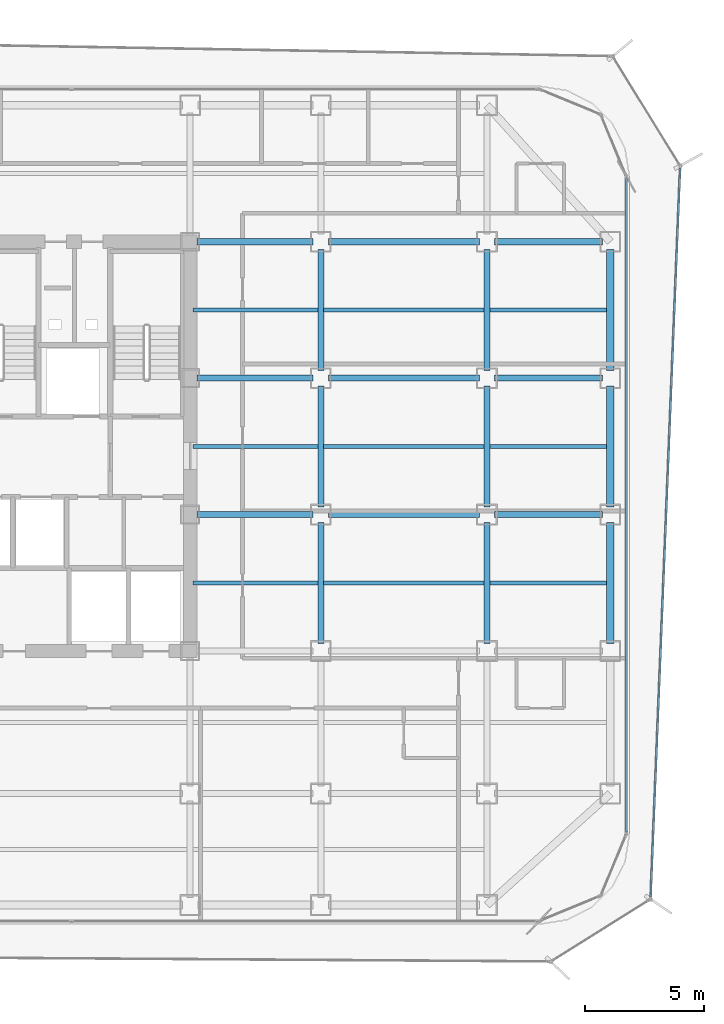
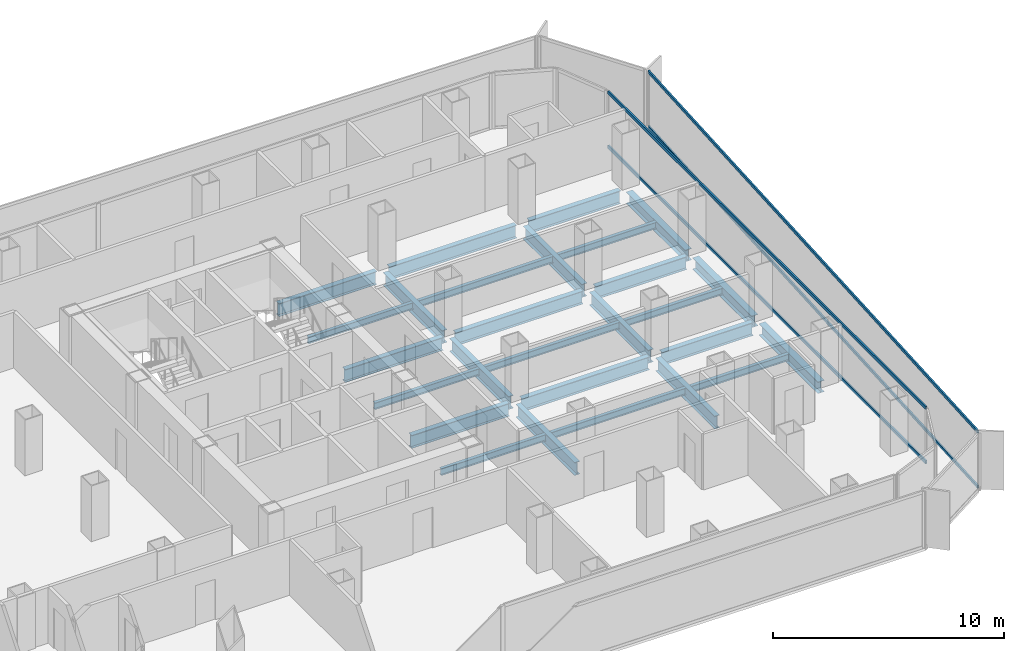
# One storey, part 9 of 21: 27 beams, 4 members, 2 elements without a shape of their own.
"""IFC4 building model written with IfcOpenShell, lengths in metres."""

from ifc_helpers import new_model, si_unit, direction, frame, origin, origin_2d, place, context, subcontext, project, spatial, hollow_rectangle, i_section, extrude, source, transform, mapped, material, layer, layer_set, material_profile, profile_set, type_object, element, aggregate, save


model = new_model("IFC4")

# Units and contexts
model_context = context("Model", 3, precision=1e-05, world=origin(), true_north=direction((0.0, 1.0)))
body_context = subcontext(model_context, "Body", "Model", "MODEL_VIEW")
ifc_project = project(units=[si_unit("LENGTHUNIT", "METRE"), si_unit("AREAUNIT", "SQUARE_METRE"), si_unit("VOLUMEUNIT", "CUBIC_METRE"), si_unit("PLANEANGLEUNIT", "RADIAN"), si_unit("MASSUNIT", "GRAM", prefix="KILO")], contexts=[model_context])

# Site, building, storey
site_placement = place(None, origin())
site = spatial("IfcSite", under=ifc_project, at=site_placement, CompositionType="ELEMENT")
building_placement = place(site_placement, origin())
building = spatial("IfcBuilding", under=site, at=building_placement, Name="Kolveth Station Tower", CompositionType="ELEMENT")
storey_placement = place(building_placement, frame((0.0, 0.0, 121.5)))
storey = spatial("IfcBuildingStorey", under=building, at=storey_placement, Name="L33", CompositionType="ELEMENT", Elevation=121.5)

# Beams
ifc_material_1 = material(Name="Steel S355", Category="steel")
ifc_material_profile_1 = material_profile(ifc_material_1, i_section(OverallWidth=0.323974609375, OverallDepth=0.611083984375, WebThickness=0.0126953125, FlangeThickness=0.01904296875, at=origin_2d()), Name="W610x155")
ifc_profile_set_1 = profile_set([ifc_material_profile_1], Name="Steel S355")
beam_type_1 = type_object("IfcBeamType", Name="Beam_SP2", PredefinedType="SPANDREL", material=ifc_profile_set_1)
shared_shape_1 = source(origin(), body_context, "Body", "SweptSolid", [
    extrude(i_section(OverallWidth=0.323974609375, OverallDepth=0.611083984375, WebThickness=0.0126953125, FlangeThickness=0.01904296875, at=origin_2d()), origin(), (0.0, 0.0, 1.0), 5.10986328125),
])
for number, where, z_axis, x_axis, name in (
    (1, (46.199951171875, 11.820068359375, -0.555419921875), (0.0, 1.0, 0.0), (-1.0, 0.0, 0.0), "L33 Perimeter Spandrel BM-L33-PE-2"),
    (2, (46.199951171875, 17.570068359375, -0.555419921875), (0.0, 1.0, 0.0), (-1.0, 0.0, 0.0), "L33 Perimeter Spandrel BM-L33-PE-3"),
    (3, (46.199951171875, 23.320068359375, -0.555419921875), (0.0, 1.0, 0.0), (-1.0, 0.0, 0.0), "L33 Perimeter Spandrel BM-L33-PE-4"),
):
    element("IfcBeam", number, at=place(storey_placement, frame(where, z_axis=z_axis, x_axis=x_axis)), inside=storey, type_object=beam_type_1, Name=name, PredefinedType="SPANDREL", context=body_context, shape_type="MappedRepresentation", body=[
        mapped(shared_shape_1, transform((0.0, 0.0, 0.0), x_axis=(1.0, 0.0, 0.0), y_axis=(0.0, 1.0, 0.0), z_axis=(0.0, 0.0, 1.0), scale=1.0)),
    ])
ifc_material_profile_2 = material_profile(ifc_material_1, i_section(OverallWidth=0.25390625, OverallDepth=0.68798828125, WebThickness=0.01318359375, FlangeThickness=0.02099609375, at=origin_2d()), Name="W690x152")
ifc_profile_set_2 = profile_set([ifc_material_profile_2], Name="Steel S355")
beam_type_2 = type_object("IfcBeamType", Name="Beam_B4", PredefinedType="BEAM", material=ifc_profile_set_2)
shared_shape_2 = source(origin(), body_context, "Body", "SweptSolid", [
    extrude(i_section(OverallWidth=0.25390625, OverallDepth=0.68798828125, WebThickness=0.01318359375, FlangeThickness=0.02099609375, at=origin_2d()), origin(), (0.0, 0.0, 1.0), 4.559814453125),
])
for number, where, z_axis, x_axis, name in (
    (4, (41.320068359375, 17.25, -0.593994140625), (1.0, 0.0, 0.0), (0.0, 1.0, 0.0), "L33 Primary Girder BM-L33-GY172-7"),
    (5, (41.320068359375, 23.0, -0.593994140625), (1.0, 0.0, 0.0), (0.0, 1.0, 0.0), "L33 Primary Girder BM-L33-GY230-7"),
    (6, (41.320068359375, 28.75, -0.593994140625), (1.0, 0.0, 0.0), (0.0, 1.0, 0.0), "L33 Primary Girder BM-L33-GY287-7"),
):
    element("IfcBeam", number, at=place(storey_placement, frame(where, z_axis=z_axis, x_axis=x_axis)), inside=storey, type_object=beam_type_2, Name=name, PredefinedType="BEAM", context=body_context, shape_type="MappedRepresentation", body=[
        mapped(shared_shape_2, transform((0.0, 0.0, 0.0), x_axis=(1.0, 0.0, 0.0), y_axis=(0.0, 1.0, 0.0), z_axis=(0.0, 0.0, 1.0), scale=1.0)),
    ])
shared_shape_3 = source(origin(), body_context, "Body", "SweptSolid", [
    extrude(i_section(OverallWidth=0.25390625, OverallDepth=0.68798828125, WebThickness=0.01318359375, FlangeThickness=0.02099609375, at=origin_2d()), origin(), (0.0, 0.0, 1.0), 6.35986328125),
])
for number, where, z_axis, x_axis, name in (
    (7, (34.320068359375, 17.25, -0.593994140625), (1.0, 0.0, 0.0), (0.0, 1.0, 0.0), "L33 Primary Girder BM-L33-GY172-6"),
    (8, (34.320068359375, 23.0, -0.593994140625), (1.0, 0.0, 0.0), (0.0, 1.0, 0.0), "L33 Primary Girder BM-L33-GY230-6"),
    (9, (34.320068359375, 28.75, -0.593994140625), (1.0, 0.0, 0.0), (0.0, 1.0, 0.0), "L33 Primary Girder BM-L33-GY287-6"),
):
    element("IfcBeam", number, at=place(storey_placement, frame(where, z_axis=z_axis, x_axis=x_axis)), inside=storey, type_object=beam_type_2, Name=name, PredefinedType="BEAM", context=body_context, shape_type="MappedRepresentation", body=[
        mapped(shared_shape_3, transform((0.0, 0.0, 0.0), x_axis=(1.0, 0.0, 0.0), y_axis=(0.0, 1.0, 0.0), z_axis=(0.0, 0.0, 1.0), scale=1.0)),
    ])
shared_shape_4 = source(origin(), body_context, "Body", "SweptSolid", [
    extrude(i_section(OverallWidth=0.25390625, OverallDepth=0.68798828125, WebThickness=0.01318359375, FlangeThickness=0.02099609375, at=origin_2d()), origin(), (0.0, 0.0, 1.0), 4.89990234375),
])
for number, where, z_axis, x_axis, name in (
    (10, (28.780029296875, 17.25, -0.593994140625), (1.0, 0.0, 0.0), (0.0, 1.0, 0.0), "L33 Primary Girder BM-L33-GY172-5"),
    (11, (28.780029296875, 23.0, -0.593994140625), (1.0, 0.0, 0.0), (0.0, 1.0, 0.0), "L33 Primary Girder BM-L33-GY230-5"),
    (12, (28.780029296875, 28.75, -0.593994140625), (1.0, 0.0, 0.0), (0.0, 1.0, 0.0), "L33 Primary Girder BM-L33-GY287-5"),
):
    element("IfcBeam", number, at=place(storey_placement, frame(where, z_axis=z_axis, x_axis=x_axis)), inside=storey, type_object=beam_type_2, Name=name, PredefinedType="BEAM", context=body_context, shape_type="MappedRepresentation", body=[
        mapped(shared_shape_4, transform((0.0, 0.0, 0.0), x_axis=(1.0, 0.0, 0.0), y_axis=(0.0, 1.0, 0.0), z_axis=(0.0, 0.0, 1.0), scale=1.0)),
    ])
shared_shape_5 = source(origin(), body_context, "Body", "SweptSolid", [
    extrude(i_section(OverallWidth=0.25390625, OverallDepth=0.68798828125, WebThickness=0.01318359375, FlangeThickness=0.02099609375, at=origin_2d()), origin(), (0.0, 0.0, 1.0), 5.10986328125),
])
for number, where, z_axis, x_axis, name in (
    (13, (34.0, 11.820068359375, -0.593994140625), (0.0, 1.0, 0.0), (-1.0, 0.0, 0.0), "L33 Primary Girder BM-L33-GX340-3"),
    (14, (34.0, 17.570068359375, -0.593994140625), (0.0, 1.0, 0.0), (-1.0, 0.0, 0.0), "L33 Primary Girder BM-L33-GX340-4"),
    (15, (34.0, 23.320068359375, -0.593994140625), (0.0, 1.0, 0.0), (-1.0, 0.0, 0.0), "L33 Primary Girder BM-L33-GX340-5"),
    (16, (41.0, 11.820068359375, -0.593994140625), (0.0, 1.0, 0.0), (-1.0, 0.0, 0.0), "L33 Primary Girder BM-L33-GX410-3"),
    (17, (41.0, 17.570068359375, -0.593994140625), (0.0, 1.0, 0.0), (-1.0, 0.0, 0.0), "L33 Primary Girder BM-L33-GX410-4"),
    (18, (41.0, 23.320068359375, -0.593994140625), (0.0, 1.0, 0.0), (-1.0, 0.0, 0.0), "L33 Primary Girder BM-L33-GX410-5"),
):
    element("IfcBeam", number, at=place(storey_placement, frame(where, z_axis=z_axis, x_axis=x_axis)), inside=storey, type_object=beam_type_2, Name=name, PredefinedType="BEAM", context=body_context, shape_type="MappedRepresentation", body=[
        mapped(shared_shape_5, transform((0.0, 0.0, 0.0), x_axis=(1.0, 0.0, 0.0), y_axis=(0.0, 1.0, 0.0), z_axis=(0.0, 0.0, 1.0), scale=1.0)),
    ])
ifc_material_profile_3 = material_profile(ifc_material_1, i_section(OverallWidth=0.1708984375, OverallDepth=0.35205078125, WebThickness=0.0068359375, FlangeThickness=0.009765625, at=origin_2d()), Name="W360x44")
ifc_profile_set_3 = profile_set([ifc_material_profile_3], Name="Steel S355")
beam_type_3 = type_object("IfcBeamType", Name="Beam_J2", PredefinedType="JOIST", material=ifc_profile_set_3)
shared_shape_6 = source(origin(), body_context, "Body", "SweptSolid", [
    extrude(i_section(OverallWidth=0.1708984375, OverallDepth=0.35205078125, WebThickness=0.0068359375, FlangeThickness=0.009765625, at=origin_2d()), origin(), (0.0, 0.0, 1.0), 4.9150390625),
])
for number, where, z_axis, x_axis, name in (
    (19, (41.125, 14.375, -0.426025390625), (1.0, 0.0, 0.0), (0.0, 1.0, 0.0), "L33 Secondary Joist JST-L33-7-3"),
    (20, (41.125, 20.125, -0.426025390625), (1.0, 0.0, 0.0), (0.0, 1.0, 0.0), "L33 Secondary Joist JST-L33-7-4"),
    (21, (41.125, 25.875, -0.426025390625), (1.0, 0.0, 0.0), (0.0, 1.0, 0.0), "L33 Secondary Joist JST-L33-7-5"),
):
    element("IfcBeam", number, at=place(storey_placement, frame(where, z_axis=z_axis, x_axis=x_axis)), inside=storey, type_object=beam_type_3, Name=name, PredefinedType="JOIST", context=body_context, shape_type="MappedRepresentation", body=[
        mapped(shared_shape_6, transform((0.0, 0.0, 0.0), x_axis=(1.0, 0.0, 0.0), y_axis=(0.0, 1.0, 0.0), z_axis=(0.0, 0.0, 1.0), scale=1.0)),
    ])
shared_shape_7 = source(origin(), body_context, "Body", "SweptSolid", [
    extrude(i_section(OverallWidth=0.1708984375, OverallDepth=0.35205078125, WebThickness=0.0068359375, FlangeThickness=0.009765625, at=origin_2d()), origin(), (0.0, 0.0, 1.0), 6.75),
])
for number, where, z_axis, x_axis, name in (
    (22, (34.125, 14.375, -0.426025390625), (1.0, 0.0, 0.0), (0.0, 1.0, 0.0), "L33 Secondary Joist JST-L33-6-3"),
    (23, (34.125, 20.125, -0.426025390625), (1.0, 0.0, 0.0), (0.0, 1.0, 0.0), "L33 Secondary Joist JST-L33-6-4"),
    (24, (34.125, 25.875, -0.426025390625), (1.0, 0.0, 0.0), (0.0, 1.0, 0.0), "L33 Secondary Joist JST-L33-6-5"),
):
    element("IfcBeam", number, at=place(storey_placement, frame(where, z_axis=z_axis, x_axis=x_axis)), inside=storey, type_object=beam_type_3, Name=name, PredefinedType="JOIST", context=body_context, shape_type="MappedRepresentation", body=[
        mapped(shared_shape_7, transform((0.0, 0.0, 0.0), x_axis=(1.0, 0.0, 0.0), y_axis=(0.0, 1.0, 0.0), z_axis=(0.0, 0.0, 1.0), scale=1.0)),
    ])
shared_shape_8 = source(origin(), body_context, "Body", "SweptSolid", [
    extrude(i_section(OverallWidth=0.1708984375, OverallDepth=0.35205078125, WebThickness=0.0068359375, FlangeThickness=0.009765625, at=origin_2d()), origin(), (0.0, 0.0, 1.0), 5.25),
])
for number, where, z_axis, x_axis, name in (
    (25, (28.625, 14.375, -0.426025390625), (1.0, 0.0, 0.0), (0.0, 1.0, 0.0), "L33 Secondary Joist JST-L33-5-3"),
    (26, (28.625, 20.125, -0.426025390625), (1.0, 0.0, 0.0), (0.0, 1.0, 0.0), "L33 Secondary Joist JST-L33-5-4"),
    (27, (28.625, 25.875, -0.426025390625), (1.0, 0.0, 0.0), (0.0, 1.0, 0.0), "L33 Secondary Joist JST-L33-5-5"),
):
    element("IfcBeam", number, at=place(storey_placement, frame(where, z_axis=z_axis, x_axis=x_axis)), inside=storey, type_object=beam_type_3, Name=name, PredefinedType="JOIST", context=body_context, shape_type="MappedRepresentation", body=[
        mapped(shared_shape_8, transform((0.0, 0.0, 0.0), x_axis=(1.0, 0.0, 0.0), y_axis=(0.0, 1.0, 0.0), z_axis=(0.0, 0.0, 1.0), scale=1.0)),
    ])

# Curtain wall, members
ifc_material_2 = material(Name="Aluminium 6063-T6 and low-E dark glass", Category="aluminium")
ifc_layer_1 = layer(ifc_material_2, 0.18994140625)
ifc_layer_set_1 = layer_set([ifc_layer_1], Name="Aluminium 6063-T6 and low-E dark glass")
curtain_wall_type_1 = type_object("IfcCurtainWallType", Name="CurtainWall_CW-Z2", PredefinedType="NOTDEFINED", material=ifc_layer_set_1)
curtain_wall_1_placement = place(storey_placement, origin())
curtain_wall_1 = element("IfcCurtainWall", 28, at=curtain_wall_1_placement, inside=storey, type_object=curtain_wall_type_1, Name="L33 Inner Thermal Curtain Wall 3", PredefinedType="NOTDEFINED")
ifc_material_3 = material(Name="Black anodized aluminium 6063-T6", Category="aluminium")
ifc_material_profile_4 = material_profile(ifc_material_3, hollow_rectangle(XDim=0.080078125, YDim=0.169921875, WallThickness=0.0048828125, at=origin_2d()), Name="ALU-80x170x5")
ifc_profile_set_4 = profile_set([ifc_material_profile_4], Name="Black anodized aluminium 6063-T6")
member_type_1 = type_object("IfcMemberType", Name="Transom_TR2", PredefinedType="USERDEFINED", material=ifc_profile_set_4)
shared_shape_9 = source(origin(), body_context, "Body", "SweptSolid", [
    extrude(hollow_rectangle(XDim=0.080078125, YDim=0.169921875, WallThickness=0.0048828125, at=origin_2d()), origin(), (0.0, 0.0, 1.0), 27.5400390625),
])
member_1_placement = place(storey_placement, frame((46.8798828125, 3.8798828125, 0.0400390625), z_axis=(0.0, 1.0, 0.0), x_axis=(-1.0, 0.0, 0.0)))
member_1 = element("IfcMember", 29, at=member_1_placement, type_object=member_type_1, Name="CW-Z2 transom 1.1", ObjectType="TRANSOM", PredefinedType="USERDEFINED", context=body_context, shape_type="MappedRepresentation", body=[
    mapped(shared_shape_9, transform((0.0, 0.0, 0.0), x_axis=(1.0, 0.0, 0.0), y_axis=(0.0, 1.0, 0.0), z_axis=(0.0, 0.0, 1.0), scale=1.0)),
])
member_2_placement = place(storey_placement, frame((46.8798828125, 3.8798828125, 2.909912109375), z_axis=(0.0, 1.0, 0.0), x_axis=(-1.0, 0.0, 0.0)))
member_2 = element("IfcMember", 30, at=member_2_placement, type_object=member_type_1, Name="CW-Z2 transom 1.2", ObjectType="TRANSOM", PredefinedType="USERDEFINED", context=body_context, shape_type="MappedRepresentation", body=[
    mapped(shared_shape_9, transform((0.0, 0.0, 0.0), x_axis=(1.0, 0.0, 0.0), y_axis=(0.0, 1.0, 0.0), z_axis=(0.0, 0.0, 1.0), scale=1.0)),
])
aggregate(curtain_wall_1, [member_1, member_2])

ifc_material_4 = material(Name="Black anodized aluminium 6063-T6 and dark solar glass", Category="aluminium")
ifc_layer_2 = layer(ifc_material_4, 0.159912109375)
ifc_layer_set_2 = layer_set([ifc_layer_2], Name="Black anodized aluminium 6063-T6 and dark solar glass")
curtain_wall_type_2 = type_object("IfcCurtainWallType", Name="OUTER SKIN CW-OS", PredefinedType="NOTDEFINED", material=ifc_layer_set_2)
curtain_wall_2_placement = place(storey_placement, origin())
curtain_wall_2 = element("IfcCurtainWall", 31, at=curtain_wall_2_placement, inside=storey, type_object=curtain_wall_type_2, Name="L33 Outer Ventilated Skin Curtain Wall 2", PredefinedType="NOTDEFINED")
ifc_material_profile_5 = material_profile(ifc_material_3, hollow_rectangle(XDim=0.080078125, YDim=0.14990234375, WallThickness=0.0048828125, at=origin_2d()), Name="ALU-80x150x5")
ifc_profile_set_5 = profile_set([ifc_material_profile_5], Name="Black anodized aluminium 6063-T6")
member_type_2 = type_object("IfcMemberType", Name="Transom_TR-OS", PredefinedType="USERDEFINED", material=ifc_profile_set_5)
shared_shape_10 = source(origin(), body_context, "Body", "SweptSolid", [
    extrude(hollow_rectangle(XDim=0.080078125, YDim=0.14990234375, WallThickness=0.0048828125, at=origin_2d()), origin(), (0.0, 0.0, 1.0), 30.744384765625),
])
member_3_placement = place(storey_placement, frame((47.899169921875, 1.140625, 0.0400390625), z_axis=(0.040403774361, 0.999183434119, 0.0), x_axis=(-0.999183434119, 0.040403774361, 0.0)))
member_3 = element("IfcMember", 32, at=member_3_placement, type_object=member_type_2, Name="CW-OS transom 1.1", ObjectType="TRANSOM", PredefinedType="USERDEFINED", context=body_context, shape_type="MappedRepresentation", body=[
    mapped(shared_shape_10, transform((0.0, 0.0, 0.0), x_axis=(1.0, 0.0, 0.0), y_axis=(0.0, 1.0, 0.0), z_axis=(0.0, 0.0, 1.0), scale=1.0)),
])
member_4_placement = place(storey_placement, frame((47.899169921875, 1.140625, 2.949951171875), z_axis=(0.040403774361, 0.999183434119, 0.0), x_axis=(-0.999183434119, 0.040403774361, 0.0)))
member_4 = element("IfcMember", 33, at=member_4_placement, type_object=member_type_2, Name="CW-OS transom 1.2", ObjectType="TRANSOM", PredefinedType="USERDEFINED", context=body_context, shape_type="MappedRepresentation", body=[
    mapped(shared_shape_10, transform((0.0, 0.0, 0.0), x_axis=(1.0, 0.0, 0.0), y_axis=(0.0, 1.0, 0.0), z_axis=(0.0, 0.0, 1.0), scale=1.0)),
])
aggregate(curtain_wall_2, [member_3, member_4])

save(model, "model.ifc")
